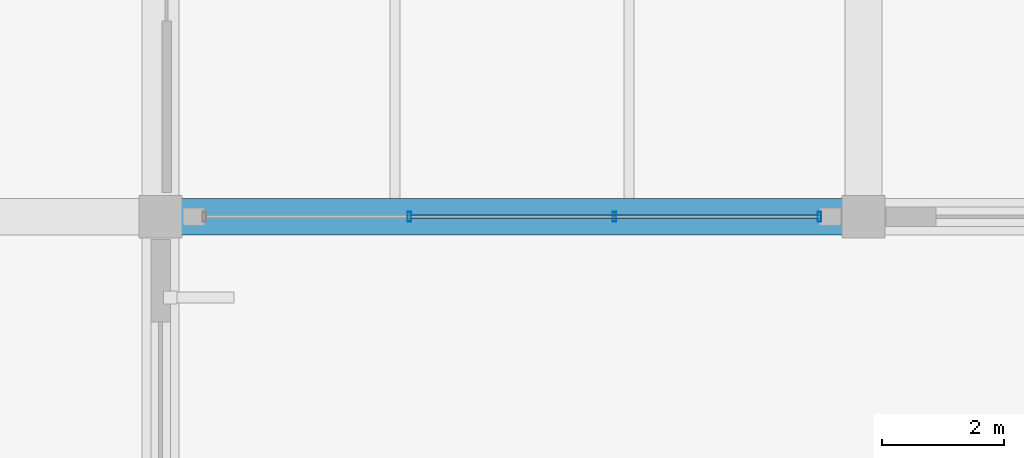
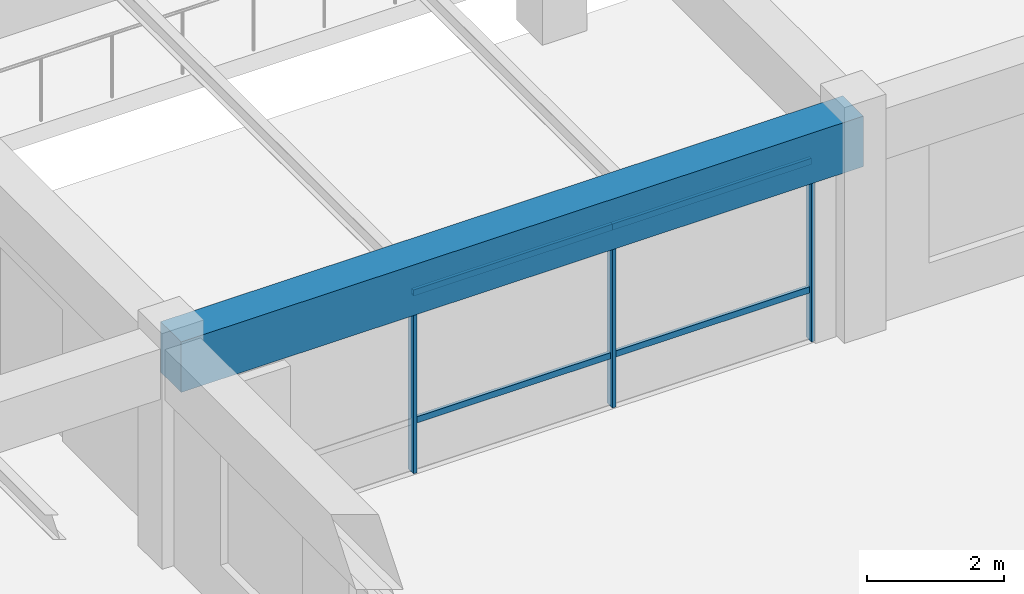
# One storey, part 6 of 109: 7 members, 1 beam, 1 element without a shape of its own.
"""IFC4 building model written with IfcOpenShell, lengths in metres."""

from ifc_helpers import new_model, si_unit, direction, frame, origin, origin_2d, place, context, subcontext, project, spatial, rectangle, hollow_rectangle, extrude, material, material_profile, profile_set, type_object, element, aggregate, save


model = new_model("IFC4")

# Units and contexts
model_context = context("Model", 3, precision=1e-05, world=origin(), true_north=direction((0.0, 1.0)))
body_context = subcontext(model_context, "Body", "Model", "MODEL_VIEW")
ifc_project = project(units=[si_unit("LENGTHUNIT", "METRE"), si_unit("AREAUNIT", "SQUARE_METRE"), si_unit("VOLUMEUNIT", "CUBIC_METRE"), si_unit("PLANEANGLEUNIT", "RADIAN"), si_unit("MASSUNIT", "GRAM", prefix="KILO")], contexts=[model_context])

# Site, building, storey
site_placement = place(None, origin())
site = spatial("IfcSite", under=ifc_project, at=site_placement, CompositionType="ELEMENT")
building_placement = place(site_placement, origin())
building = spatial("IfcBuilding", under=site, at=building_placement, Name="Ologun Quay Terminus", CompositionType="ELEMENT")
storey_placement = place(building_placement, origin())
storey = spatial("IfcBuildingStorey", under=building, at=storey_placement, Name="L00", CompositionType="ELEMENT", Elevation=0.0)

# Curtain wall, members
ifc_material_1 = material(Name="Aluminium 6063-T6", Category="aluminium")
curtain_wall_type = type_object("IfcCurtainWallType", Name="Forecourt Arcade Curtain Wall 10700x3750", PredefinedType="USERDEFINED", material=ifc_material_1)
curtain_wall_placement = place(storey_placement, origin())
curtain_wall = element("IfcCurtainWall", 1, at=curtain_wall_placement, inside=storey, type_object=curtain_wall_type, Name="CW-03 Curtain Wall CW-L00-001", ObjectType="UNITISED CURTAIN WALL", PredefinedType="USERDEFINED")
ifc_material_2 = material(Name="Aluminium 6063-T6", Category="aluminium")
ifc_material_profile_1 = material_profile(ifc_material_2, hollow_rectangle(XDim=0.06005859375, YDim=0.159912109375, WallThickness=0.00390625, at=origin_2d()), Name="ALU 160x60x4")
ifc_profile_set_1 = profile_set([ifc_material_profile_1], Name="Aluminium 6063-T6")
member_type_1 = type_object("IfcMemberType", Name="Curtain Wall Standard Mullion 160x65", PredefinedType="MULLION", material=ifc_profile_set_1)
member_1_placement = place(storey_placement, frame((15.5732421875, 27.199951171875, 0.0), z_axis=(0.0, 0.0, 1.0), x_axis=(1.0, 0.0, 0.0)))
member_1 = element("IfcMember", 2, at=member_1_placement, type_object=member_type_1, Name="CW-L00-001 Mullion 2", PredefinedType="MULLION", context=body_context, shape_type="SweptSolid", body=[
    extrude(hollow_rectangle(XDim=0.06005859375, YDim=0.159912109375, WallThickness=0.00390625, at=origin_2d()), origin(), (0.0, 0.0, 1.0), 3.8798828125),
])
member_2_placement = place(storey_placement, frame((18.9267578125, 27.199951171875, 0.0), z_axis=(0.0, 0.0, 1.0), x_axis=(1.0, 0.0, 0.0)))
member_2 = element("IfcMember", 3, at=member_2_placement, type_object=member_type_1, Name="CW-L00-001 Mullion 3", PredefinedType="MULLION", context=body_context, shape_type="SweptSolid", body=[
    extrude(hollow_rectangle(XDim=0.06005859375, YDim=0.159912109375, WallThickness=0.00390625, at=origin_2d()), origin(), (0.0, 0.0, 1.0), 3.8798828125),
])
member_3_placement = place(storey_placement, frame((22.280029296875, 27.199951171875, 0.0), z_axis=(0.0, 0.0, 1.0), x_axis=(1.0, 0.0, 0.0)))
member_3 = element("IfcMember", 4, at=member_3_placement, type_object=member_type_1, Name="CW-L00-001 Mullion 4", PredefinedType="MULLION", context=body_context, shape_type="SweptSolid", body=[
    extrude(hollow_rectangle(XDim=0.06005859375, YDim=0.159912109375, WallThickness=0.00390625, at=origin_2d()), origin(), (0.0, 0.0, 1.0), 3.8798828125),
])
ifc_material_3 = material(Name="Aluminium 6063-T6", Category="aluminium")
ifc_material_profile_2 = material_profile(ifc_material_3, hollow_rectangle(XDim=0.054931640625, YDim=0.110107421875, WallThickness=0.00390625, at=origin_2d()), Name="ALU 110x55x4")
ifc_profile_set_2 = profile_set([ifc_material_profile_2], Name="Aluminium 6063-T6")
member_type_2 = type_object("IfcMemberType", Name="Curtain Wall Standard Transom 110x55", PredefinedType="USERDEFINED", material=ifc_profile_set_2)
member_4_placement = place(storey_placement, frame((15.5732421875, 27.199951171875, 0.89990234375), z_axis=(1.0, 0.0, 0.0), x_axis=(0.0, 1.0, 0.0)))
member_4 = element("IfcMember", 5, at=member_4_placement, type_object=member_type_2, Name="CW-L00-001 Transom B2-1", ObjectType="TRANSOM", PredefinedType="USERDEFINED", context=body_context, shape_type="SweptSolid", body=[
    extrude(hollow_rectangle(XDim=0.054931640625, YDim=0.110107421875, WallThickness=0.00390625, at=origin_2d()), origin(), (0.0, 0.0, 1.0), 3.353515625),
])
member_5_placement = place(storey_placement, frame((15.5732421875, 27.199951171875, 3.179931640625), z_axis=(1.0, 0.0, 0.0), x_axis=(0.0, 1.0, 0.0)))
member_5 = element("IfcMember", 6, at=member_5_placement, type_object=member_type_2, Name="CW-L00-001 Transom B2-2", ObjectType="TRANSOM", PredefinedType="USERDEFINED", context=body_context, shape_type="SweptSolid", body=[
    extrude(hollow_rectangle(XDim=0.054931640625, YDim=0.110107421875, WallThickness=0.00390625, at=origin_2d()), origin(), (0.0, 0.0, 1.0), 3.353515625),
])
member_6_placement = place(storey_placement, frame((18.9267578125, 27.199951171875, 0.89990234375), z_axis=(1.0, 0.0, 0.0), x_axis=(0.0, 1.0, 0.0)))
member_6 = element("IfcMember", 7, at=member_6_placement, type_object=member_type_2, Name="CW-L00-001 Transom B3-1", ObjectType="TRANSOM", PredefinedType="USERDEFINED", context=body_context, shape_type="SweptSolid", body=[
    extrude(hollow_rectangle(XDim=0.054931640625, YDim=0.110107421875, WallThickness=0.00390625, at=origin_2d()), origin(), (0.0, 0.0, 1.0), 3.353271484375),
])
member_7_placement = place(storey_placement, frame((18.9267578125, 27.199951171875, 3.179931640625), z_axis=(1.0, 0.0, 0.0), x_axis=(0.0, 1.0, 0.0)))
member_7 = element("IfcMember", 8, at=member_7_placement, type_object=member_type_2, Name="CW-L00-001 Transom B3-2", ObjectType="TRANSOM", PredefinedType="USERDEFINED", context=body_context, shape_type="SweptSolid", body=[
    extrude(hollow_rectangle(XDim=0.054931640625, YDim=0.110107421875, WallThickness=0.00390625, at=origin_2d()), origin(), (0.0, 0.0, 1.0), 3.353271484375),
])
aggregate(curtain_wall, [member_1, member_2, member_3, member_4, member_5, member_6, member_7])

# Beam
ifc_material_4 = material(Name="Concrete C40/50", Category="concrete")
ifc_material_profile_3 = material_profile(ifc_material_4, rectangle(XDim=0.60009765625, YDim=0.89990234375, at=origin_2d()), Name="RC 600x900")
ifc_profile_set_3 = profile_set([ifc_material_profile_3], Name="Concrete C40/50")
beam_type = type_object("IfcBeamType", Name="Station Frame Girder 600x900", PredefinedType="BEAM", material=ifc_profile_set_3)
beam_placement = place(storey_placement, frame((11.5, 27.199951171875, 3.449951171875), z_axis=(1.0, 0.0, 0.0), x_axis=(0.0, 1.0, 0.0)))
element("IfcBeam", 9, at=beam_placement, inside=storey, type_object=beam_type, Name="B3 Beam 2/D L00", PredefinedType="BEAM", context=body_context, shape_type="SweptSolid", body=[
    extrude(rectangle(XDim=0.60009765625, YDim=0.89990234375, at=origin_2d()), origin(), (0.0, 0.0, 1.0), 11.5),
])

save(model, "model.ifc")
